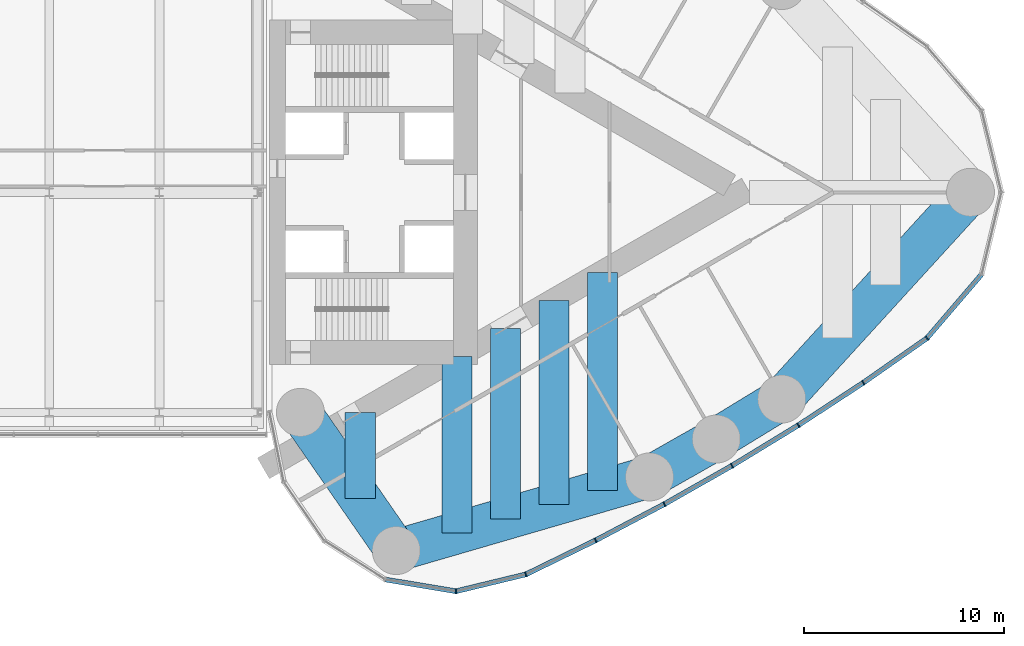
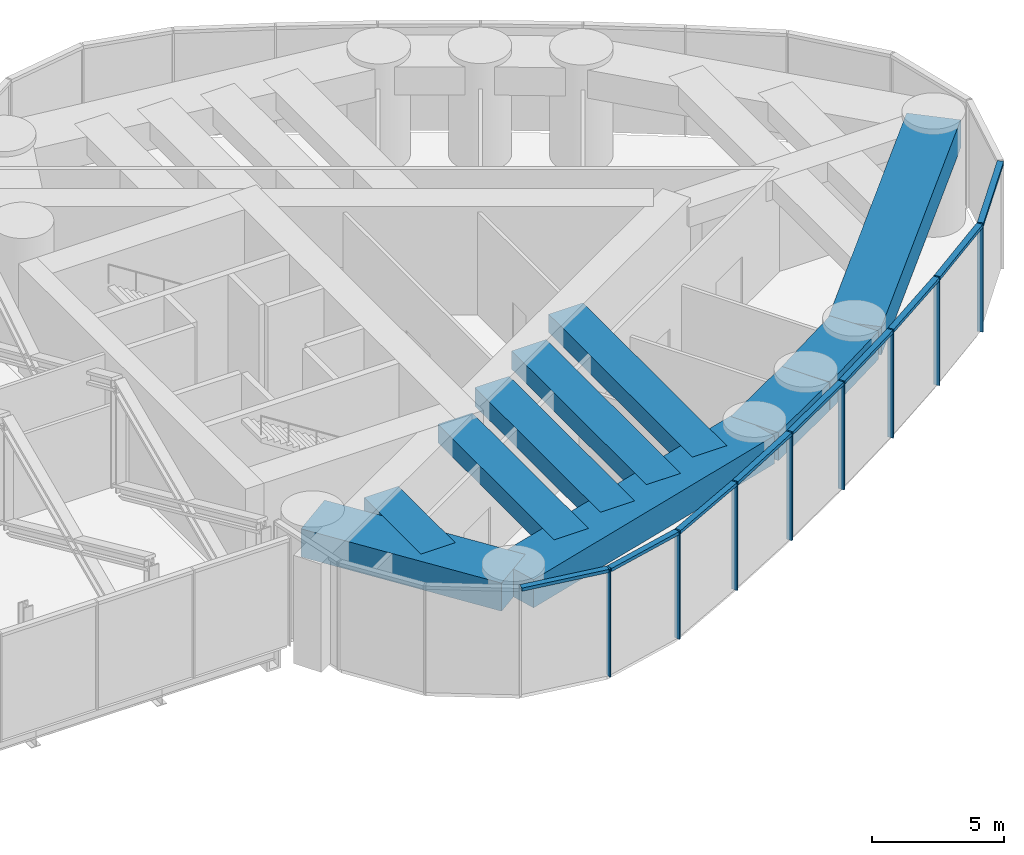
# One storey, part 9 of 19: 17 members, 10 beams, 1 element without a shape of its own.
"""IFC4 building model written with IfcOpenShell, lengths in metres."""

import ifcopenshell
import ifcopenshell.guid

model = None  # the IFC model being written
_history = None  # IfcOwnerHistory: only IFC2X3 demands one
_inside = {}  # id of a spatial element -> (the spatial element, [elements in it])
_under = {}  # id of a project, library or spatial element -> (it, [spatial elements below it])
_declared = {}  # id of a project -> (the project, [libraries it declares])
_typed = {}  # id of a type object -> (the type object, [elements of that type])
_made_of = {}  # id of a material, layer set ... -> (it, [elements and type objects made of it])


def new_model(schema):
    """Start an empty IFC model of exactly this schema.

    Asked for "IFC4X3", IfcOpenShell would pick the latest addendum, in which some entities
    have other attributes; the version numbers below select the first issue.
    IFC2X3 requires an IfcOwnerHistory on every rooted entity: one is made here for all.
    """
    global model, _history
    if schema == "IFC4X3":
        model = ifcopenshell.file(schema_version=(4, 3, 0, 0))
    else:
        model = ifcopenshell.file(schema=schema)
    _inside.clear()
    _under.clear()
    _declared.clear()
    _typed.clear()
    _made_of.clear()
    _history = None
    if model.schema == "IFC2X3":
        org = make("IfcOrganization", Name="unknown")
        user = make(
            "IfcPersonAndOrganization",
            ThePerson=make("IfcPerson", FamilyName="unknown"),
            TheOrganization=org,
        )
        app = make(
            "IfcApplication",
            ApplicationDeveloper=org,
            Version="unknown",
            ApplicationFullName="unknown",
            ApplicationIdentifier="unknown",
        )
        _history = make(
            "IfcOwnerHistory",
            OwningUser=user,
            OwningApplication=app,
            ChangeAction="ADDED",
            CreationDate=0,
        )
    return model


def make(cls, **values):
    """One entity of the class cls with the attributes given. An attribute that is None is left unset."""
    return model.create_entity(
        cls, **{name: value for name, value in values.items() if value is not None}
    )


def rooted(cls, **values):
    """An entity with a GlobalId (a new one), such as an element, a storey or a relation."""
    return make(cls, GlobalId=ifcopenshell.guid.new(), OwnerHistory=_history, **values)


def si_unit(unit_type, name, prefix=None):
    """IfcSIUnit, for example si_unit("LENGTHUNIT", "METRE", prefix="MILLI")."""
    return make("IfcSIUnit", UnitType=unit_type, Prefix=prefix, Name=name)


def assignment(units):
    """IfcUnitAssignment: the units of a project."""
    return None if units is None else make("IfcUnitAssignment", Units=units)


def point(xyz):
    """IfcCartesianPoint."""
    return None if xyz is None else make("IfcCartesianPoint", Coordinates=xyz)


def direction(xyz):
    """IfcDirection."""
    return None if xyz is None else make("IfcDirection", DirectionRatios=xyz)


def frame(location, z_axis=None, x_axis=None):
    """IfcAxis2Placement3D, a coordinate frame: its origin and axes. An axis left out is left unset."""
    return make(
        "IfcAxis2Placement3D",
        Location=point(location),
        Axis=direction(z_axis),
        RefDirection=direction(x_axis),
    )


def frame_2d(location, x_axis=None):
    """IfcAxis2Placement2D, a coordinate frame in the plane: its origin and x axis."""
    return make(
        "IfcAxis2Placement2D", Location=point(location), RefDirection=direction(x_axis)
    )


def origin():
    """The frame at (0, 0, 0) with its axes left unset."""
    return frame((0.0, 0.0, 0.0))


def origin_2d():
    """The frame at (0, 0) in the plane with its x axis left unset."""
    return frame_2d((0.0, 0.0))


def place(relative_to, where):
    """IfcLocalPlacement: puts the frame where relative to a parent placement (None: the world)."""
    return make(
        "IfcLocalPlacement", PlacementRelTo=relative_to, RelativePlacement=where
    )


def context(
    kind, dimensions, precision=None, world=None, true_north=None, identifier=None
):
    """IfcGeometricRepresentationContext, for example the 3D "Model" context."""
    return make(
        "IfcGeometricRepresentationContext",
        ContextIdentifier=identifier,
        ContextType=kind,
        CoordinateSpaceDimension=dimensions,
        Precision=precision,
        WorldCoordinateSystem=world,
        TrueNorth=true_north,
    )


def subcontext(parent, identifier, kind, view, scale=None):
    """IfcGeometricRepresentationSubContext, for example "Body" below "Model"."""
    return make(
        "IfcGeometricRepresentationSubContext",
        ContextIdentifier=identifier,
        ContextType=kind,
        ParentContext=parent,
        TargetScale=scale,
        TargetView=view,
    )


def project(units=None, contexts=None):
    """IfcProject with its units and contexts."""
    return rooted(
        "IfcProject",
        Name="project",
        RepresentationContexts=contexts,
        UnitsInContext=assignment(units),
    )


def spatial(cls, under=None, at=None, **own):
    """A site, building, storey or space (cls), placed at a placement, below another one or the project."""
    s = rooted(cls, ObjectPlacement=at, **own)
    if under is not None:
        _under.setdefault(under.id(), (under, []))[1].append(s)
    return s


def profile(cls, at=None, kind="AREA", **sizes):
    """A parametric profile (cls). Its sizes go by their IFC names, for example OverallWidth=200.0."""
    return make(cls, ProfileType=kind, Position=at, **sizes)


def rectangle(**sizes):
    """IfcRectangleProfileDef."""
    return profile("IfcRectangleProfileDef", **sizes)


def extrude(swept, where, along, depth):
    """IfcExtrudedAreaSolid: the profile swept, set in the frame where, extruded along a direction by depth."""
    return make(
        "IfcExtrudedAreaSolid",
        SweptArea=swept,
        Position=where,
        ExtrudedDirection=direction(along),
        Depth=depth,
    )


def shape(context_of_items, identifier, shape_type, items):
    """IfcShapeRepresentation: the items that make up one representation, for example the "Body"."""
    return make(
        "IfcShapeRepresentation",
        ContextOfItems=context_of_items,
        RepresentationIdentifier=identifier,
        RepresentationType=shape_type,
        Items=items,
    )


def material(Name=None, Category=None):
    """IfcMaterial."""
    return make("IfcMaterial", Name=Name, Category=Category)


def material_profile(
    of_material, cross_section, Name=None, Category=None, Priority=None
):
    """IfcMaterialProfile: a cross section and its material."""
    return make(
        "IfcMaterialProfile",
        Name=Name,
        Material=of_material,
        Profile=cross_section,
        Priority=Priority,
        Category=Category,
    )


def profile_set(profiles, Name=None, composite=None):
    """IfcMaterialProfileSet."""
    return make(
        "IfcMaterialProfileSet",
        Name=Name,
        MaterialProfiles=profiles,
        CompositeProfile=composite,
    )


def made_of(thing, what):
    """Note that an element or type object is made of a material, layer set ...; save() writes the relation."""
    if what is not None:
        _made_of.setdefault(what.id(), (what, []))[1].append(thing)
    return thing


def type_object(cls, material=None, **own):
    """A type object (cls), such as IfcWallType, which elements share."""
    return made_of(rooted(cls, **own), material)


def element(
    cls,
    number,
    at=None,
    inside=None,
    cuts=None,
    type_object=None,
    material=None,
    context=None,
    identifier="Body",
    shape_type=None,
    held_by="IfcProductDefinitionShape",
    body=None,
    shapes=None,
    **own,
):
    """One element of the class cls, such as IfcWall. Its Tag is "e" and its number.

    at: its placement. inside: the storey or other place that contains it. cuts: it is an
    opening in that element (IfcRelVoidsElement). A single representation is given by context,
    identifier, shape_type and body (its items); several are given by shapes. held_by: the class
    of the entity that holds the representations. save() writes the other relations.
    """
    e = rooted(cls, Tag="e%d" % number, ObjectPlacement=at, **own)
    if body is not None:
        shapes = [shape(context, identifier, shape_type, body)]
    if shapes is not None:
        e.Representation = make(held_by, Representations=shapes)
    if inside is not None:
        _inside.setdefault(inside.id(), (inside, []))[1].append(e)
    if cuts is not None:
        rooted(
            "IfcRelVoidsElement", RelatingBuildingElement=cuts, RelatedOpeningElement=e
        )
    if type_object is not None:
        _typed.setdefault(type_object.id(), (type_object, []))[1].append(e)
    return made_of(e, material)


def aggregate(whole, parts):
    """IfcRelAggregates: a whole, such as a stair, and the parts it consists of."""
    return rooted("IfcRelAggregates", RelatingObject=whole, RelatedObjects=parts)


def save(model, path):
    """Write the relations noted so far, then the file.

    IfcRelAggregates (storeys below a building ...), IfcRelContainedInSpatialStructure (elements
    in a storey), IfcRelDefinesByType, IfcRelAssociatesMaterial and IfcRelDeclares: one each for
    every whole, place, type object, material and project.
    """
    for whole, parts in _under.values():
        aggregate(whole, parts)
    for where, things in _inside.values():
        rooted(
            "IfcRelContainedInSpatialStructure",
            RelatedElements=things,
            RelatingStructure=where,
        )
    for kind, things in _typed.values():
        rooted("IfcRelDefinesByType", RelatedObjects=things, RelatingType=kind)
    for what, things in _made_of.values():
        rooted("IfcRelAssociatesMaterial", RelatedObjects=things, RelatingMaterial=what)
    for by, libraries in _declared.values():
        rooted("IfcRelDeclares", RelatingContext=by, RelatedDefinitions=libraries)
    model.write(path)


model = new_model("IFC4")

# Units and contexts
model_context = context("Model", 3, precision=1e-05, world=origin(), true_north=direction((0.0, 1.0)))
body_context = subcontext(model_context, "Body", "Model", "MODEL_VIEW")
ifc_project = project(units=[si_unit("LENGTHUNIT", "METRE"), si_unit("AREAUNIT", "SQUARE_METRE"), si_unit("VOLUMEUNIT", "CUBIC_METRE"), si_unit("PLANEANGLEUNIT", "RADIAN"), si_unit("MASSUNIT", "GRAM", prefix="KILO")], contexts=[model_context])

# Site, building, storey
site_placement = place(None, origin())
site = spatial("IfcSite", under=ifc_project, at=site_placement, CompositionType="ELEMENT")
building_placement = place(site_placement, origin())
building = spatial("IfcBuilding", under=site, at=building_placement, Name="Lancet Gate Hotel", CompositionType="ELEMENT")
storey_placement = place(building_placement, frame((0.0, 0.0, 263.300048828125)))
storey = spatial("IfcBuildingStorey", under=building, at=storey_placement, Name="L69", CompositionType="ELEMENT", Elevation=263.300048828125)

# Curtain wall, members
ifc_material_1 = material(Name="Aluminium curtain wall", Category="aluminium")
curtain_wall_type = type_object("IfcCurtainWallType", Name="Lantern crown glazing", PredefinedType="USERDEFINED", material=ifc_material_1)
curtain_wall_placement = place(storey_placement, origin())
curtain_wall = element("IfcCurtainWall", 1, at=curtain_wall_placement, inside=storey, type_object=curtain_wall_type, Name="T2 L69 curtain wall 1", ObjectType="LANTERN GLAZING", PredefinedType="USERDEFINED")
ifc_material_2 = material(Name="Aluminium mullion", Category="aluminium")
ifc_material_profile_1 = material_profile(ifc_material_2, rectangle(XDim=0.06494140625, YDim=0.25, at=origin_2d()), Name="MULLION 65x250")
ifc_profile_set_1 = profile_set([ifc_material_profile_1], Name="Aluminium mullion")
member_type_1 = type_object("IfcMemberType", Name="Aluminium mullion 65x250", PredefinedType="MULLION", material=ifc_profile_set_1)
member_1_placement = place(storey_placement, frame((36.826171875, -19.942138671875, 0.0), z_axis=(0.0, 0.0, 1.0), x_axis=(0.999342744911, 0.03625021647, 0.0)))
member_1 = element("IfcMember", 2, at=member_1_placement, type_object=member_type_1, Name="T2 L69 curtain wall 1 mullion 5", PredefinedType="MULLION", context=body_context, shape_type="SweptSolid", body=[
    extrude(rectangle(XDim=0.06494140625, YDim=0.25, at=origin_2d()), origin(), (0.0, 0.0, 1.0), 5.0),
])
member_2_placement = place(storey_placement, frame((40.3173828125, -19.098388671875, 0.0), z_axis=(0.0, 0.0, 1.0), x_axis=(0.939483740419, 0.342593493061, 0.0)))
member_2 = element("IfcMember", 3, at=member_2_placement, type_object=member_type_1, Name="T2 L69 curtain wall 1 mullion 6", PredefinedType="MULLION", context=body_context, shape_type="SweptSolid", body=[
    extrude(rectangle(XDim=0.06494140625, YDim=0.25, at=origin_2d()), origin(), (0.0, 0.0, 1.0), 5.0),
])
member_3_placement = place(storey_placement, frame((43.80810546875, -17.396240234375, 0.0), z_axis=(0.0, 0.0, 1.0), x_axis=(0.891832977257, 0.452364831389, 0.0)))
member_3 = element("IfcMember", 4, at=member_3_placement, type_object=member_type_1, Name="T2 L69 curtain wall 1 mullion 7", PredefinedType="MULLION", context=body_context, shape_type="SweptSolid", body=[
    extrude(rectangle(XDim=0.06494140625, YDim=0.25, at=origin_2d()), origin(), (0.0, 0.0, 1.0), 5.0),
])
member_4_placement = place(storey_placement, frame((47.24365234375, -15.585205078125, 0.0), z_axis=(0.0, 0.0, 1.0), x_axis=(0.877194589488, 0.480135035352, 0.0)))
member_4 = element("IfcMember", 5, at=member_4_placement, type_object=member_type_1, Name="T2 L69 curtain wall 1 mullion 8", PredefinedType="MULLION", context=body_context, shape_type="SweptSolid", body=[
    extrude(rectangle(XDim=0.06494140625, YDim=0.25, at=origin_2d()), origin(), (0.0, 0.0, 1.0), 5.0),
])
member_5_placement = place(storey_placement, frame((50.62060546875, -13.667236328125, 0.0), z_axis=(0.0, 0.0, 1.0), x_axis=(0.861691755738, 0.507432082247, 0.0)))
member_5 = element("IfcMember", 6, at=member_5_placement, type_object=member_type_1, Name="T2 L69 curtain wall 1 mullion 9", PredefinedType="MULLION", context=body_context, shape_type="SweptSolid", body=[
    extrude(rectangle(XDim=0.06494140625, YDim=0.25, at=origin_2d()), origin(), (0.0, 0.0, 1.0), 5.0),
])
member_6_placement = place(storey_placement, frame((53.935791015625, -11.644287109375, 0.0), z_axis=(0.0, 0.0, 1.0), x_axis=(0.845339753513, 0.534229071777, 0.0)))
member_6 = element("IfcMember", 7, at=member_6_placement, type_object=member_type_1, Name="T2 L69 curtain wall 1 mullion 10", PredefinedType="MULLION", context=body_context, shape_type="SweptSolid", body=[
    extrude(rectangle(XDim=0.06494140625, YDim=0.25, at=origin_2d()), origin(), (0.0, 0.0, 1.0), 5.0),
])
member_7_placement = place(storey_placement, frame((57.185791015625, -9.518310546875, 0.0), z_axis=(0.0, 0.0, 1.0), x_axis=(0.828154697184, 0.560499596371, 0.0)))
member_7 = element("IfcMember", 8, at=member_7_placement, type_object=member_type_1, Name="T2 L69 curtain wall 1 mullion 11", PredefinedType="MULLION", context=body_context, shape_type="SweptSolid", body=[
    extrude(rectangle(XDim=0.06494140625, YDim=0.25, at=origin_2d()), origin(), (0.0, 0.0, 1.0), 5.0),
])
member_8_placement = place(storey_placement, frame((60.367431640625, -7.291259765625, 0.0), z_axis=(0.0, 0.0, 1.0), x_axis=(0.737323173512, 0.675540182226, 0.0)))
member_8 = element("IfcMember", 9, at=member_8_placement, type_object=member_type_1, Name="T2 L69 curtain wall 1 mullion 12", PredefinedType="MULLION", context=body_context, shape_type="SweptSolid", body=[
    extrude(rectangle(XDim=0.06494140625, YDim=0.25, at=origin_2d()), origin(), (0.0, 0.0, 1.0), 5.0),
])
ifc_material_3 = material(Name="Aluminium transom", Category="aluminium")
ifc_material_profile_2 = material_profile(ifc_material_3, rectangle(XDim=0.25, YDim=0.14990234375, at=origin_2d()), Name="TRANSOM 250x150")
ifc_profile_set_2 = profile_set([ifc_material_profile_2], Name="Aluminium transom")
member_type_2 = type_object("IfcMemberType", Name="Aluminium transom 250x150", PredefinedType="USERDEFINED", material=ifc_profile_set_2)
member_9_placement = place(storey_placement, frame((33.315185546875, -19.35888671875, 4.925048828125), z_axis=(0.986483584545, -0.163860115412, 0.0), x_axis=(0.163860115412, 0.986483584545, 0.0)))
member_9 = element("IfcMember", 10, at=member_9_placement, type_object=member_type_2, Name="T2 L69 curtain wall 1 transom 4", ObjectType="TRANSOM", PredefinedType="USERDEFINED", context=body_context, shape_type="SweptSolid", body=[
    extrude(rectangle(XDim=0.25, YDim=0.14990234375, at=origin_2d()), origin(), (0.0, 0.0, 1.0), 3.526611328125),
])
member_10_placement = place(storey_placement, frame((36.85791015625, -19.9345703125, 4.925048828125), z_axis=(0.972002653858, 0.234969872307, 0.0), x_axis=(-0.234969872307, 0.972002653858, 0.0)))
member_10 = element("IfcMember", 11, at=member_10_placement, type_object=member_type_2, Name="T2 L69 curtain wall 1 transom 5", ObjectType="TRANSOM", PredefinedType="USERDEFINED", context=body_context, shape_type="SweptSolid", body=[
    extrude(rectangle(XDim=0.25, YDim=0.14990234375, at=origin_2d()), origin(), (0.0, 0.0, 1.0), 3.5263671875),
])
member_11_placement = place(storey_placement, frame((40.346435546875, -19.084228515625, 4.925048828125), z_axis=(0.898820051991, 0.438317823206, 0.0), x_axis=(-0.438317823206, 0.898820051991, 0.0)))
member_11 = element("IfcMember", 12, at=member_11_placement, type_object=member_type_2, Name="T2 L69 curtain wall 1 transom 6", ObjectType="TRANSOM", PredefinedType="USERDEFINED", context=body_context, shape_type="SweptSolid", body=[
    extrude(rectangle(XDim=0.25, YDim=0.14990234375, at=origin_2d()), origin(), (0.0, 0.0, 1.0), 3.81884765625),
])
member_12_placement = place(storey_placement, frame((43.836669921875, -17.381103515625, 4.925048828125), z_axis=(0.884618491031, 0.466315478325, 0.0), x_axis=(-0.466315478325, 0.884618491031, 0.0)))
member_12 = element("IfcMember", 13, at=member_12_placement, type_object=member_type_2, Name="T2 L69 curtain wall 1 transom 7", ObjectType="TRANSOM", PredefinedType="USERDEFINED", context=body_context, shape_type="SweptSolid", body=[
    extrude(rectangle(XDim=0.25, YDim=0.14990234375, at=origin_2d()), origin(), (0.0, 0.0, 1.0), 3.81884765625),
])
member_13_placement = place(storey_placement, frame((47.271728515625, -15.569091796875, 4.925048828125), z_axis=(0.869562011924, 0.493823761496, 0.0), x_axis=(-0.493823761496, 0.869562011924, 0.0)))
member_13 = element("IfcMember", 14, at=member_13_placement, type_object=member_type_2, Name="T2 L69 curtain wall 1 transom 8", ObjectType="TRANSOM", PredefinedType="USERDEFINED", context=body_context, shape_type="SweptSolid", body=[
    extrude(rectangle(XDim=0.25, YDim=0.14990234375, at=origin_2d()), origin(), (0.0, 0.0, 1.0), 3.818603515625),
])
member_14_placement = place(storey_placement, frame((50.648193359375, -13.650390625, 4.925048828125), z_axis=(0.853638798527, 0.520865435261, 0.0), x_axis=(-0.520865435261, 0.853638798527, 0.0)))
member_14 = element("IfcMember", 15, at=member_14_placement, type_object=member_type_2, Name="T2 L69 curtain wall 1 transom 9", ObjectType="TRANSOM", PredefinedType="USERDEFINED", context=body_context, shape_type="SweptSolid", body=[
    extrude(rectangle(XDim=0.25, YDim=0.14990234375, at=origin_2d()), origin(), (0.0, 0.0, 1.0), 3.818603515625),
])
member_15_placement = place(storey_placement, frame((53.962890625, -11.62646484375, 4.925048828125), z_axis=(0.836858089593, 0.547419891749, 0.0), x_axis=(-0.547419891749, 0.836858089593, 0.0)))
member_15 = element("IfcMember", 16, at=member_15_placement, type_object=member_type_2, Name="T2 L69 curtain wall 1 transom 10", ObjectType="TRANSOM", PredefinedType="USERDEFINED", context=body_context, shape_type="SweptSolid", body=[
    extrude(rectangle(XDim=0.25, YDim=0.14990234375, at=origin_2d()), origin(), (0.0, 0.0, 1.0), 3.818603515625),
])
member_16_placement = place(storey_placement, frame((57.21240234375, -9.499755859375, 4.925048828125), z_axis=(0.819255948852, 0.573428016642, 0.0), x_axis=(-0.573428016642, 0.819255948852, 0.0)))
member_16 = element("IfcMember", 17, at=member_16_placement, type_object=member_type_2, Name="T2 L69 curtain wall 1 transom 11", ObjectType="TRANSOM", PredefinedType="USERDEFINED", context=body_context, shape_type="SweptSolid", body=[
    extrude(rectangle(XDim=0.25, YDim=0.14990234375, at=origin_2d()), origin(), (0.0, 0.0, 1.0), 3.818603515625),
])
member_17_placement = place(storey_placement, frame((60.388427734375, -7.2666015625, 4.925048828125), z_axis=(0.650592500186, 0.759427019997, 0.0), x_axis=(-0.759427019997, 0.650592500186, 0.0)))
member_17 = element("IfcMember", 18, at=member_17_placement, type_object=member_type_2, Name="T2 L69 curtain wall 1 transom 12", ObjectType="TRANSOM", PredefinedType="USERDEFINED", context=body_context, shape_type="SweptSolid", body=[
    extrude(rectangle(XDim=0.25, YDim=0.14990234375, at=origin_2d()), origin(), (0.0, 0.0, 1.0), 4.1455078125),
])
aggregate(curtain_wall, [member_1, member_2, member_3, member_4, member_5, member_6, member_7, member_8, member_9, member_10, member_11, member_12, member_13, member_14, member_15, member_16, member_17])

# Beams
ifc_material_4 = material(Name="Concrete C50/60", Category="concrete")
ifc_material_profile_3 = material_profile(ifc_material_4, rectangle(XDim=2.10009765625, YDim=1.300048828125, at=origin_2d()), Name="RC 2100x1300")
ifc_profile_set_3 = profile_set([ifc_material_profile_3], Name="Concrete C50/60")
beam_type_1 = type_object("IfcBeamType", Name="Edge beam RC 2100x1300", PredefinedType="SPANDREL", material=ifc_profile_set_3)
beam_1_placement = place(storey_placement, frame((33.837158203125, -17.906005859375, 4.099853515625), z_axis=(0.960258384252, 0.279112585659, 0.0), x_axis=(-0.279112585659, 0.960258384252, 0.0)))
element("IfcBeam", 19, at=beam_1_placement, inside=storey, type_object=beam_type_1, Name="T2 edge beam EB1 L69", PredefinedType="SPANDREL", context=body_context, shape_type="SweptSolid", body=[
    extrude(rectangle(XDim=2.10009765625, YDim=1.300048828125, at=origin_2d()), origin(), (0.0, 0.0, 1.0), 13.18603515625),
])
beam_2_placement = place(storey_placement, frame((46.499267578125, -14.2255859375, 4.099853515625), z_axis=(0.869560321562, 0.493826738001, 0.0), x_axis=(-0.493826738001, 0.869560321562, 0.0)))
element("IfcBeam", 20, at=beam_2_placement, inside=storey, type_object=beam_type_1, Name="T2 edge beam EB1 L69", PredefinedType="SPANDREL", context=body_context, shape_type="SweptSolid", body=[
    extrude(rectangle(XDim=2.10009765625, YDim=1.300048828125, at=origin_2d()), origin(), (0.0, 0.0, 1.0), 3.8349609375),
])
beam_3_placement = place(storey_placement, frame((49.833984375, -12.331787109375, 4.099853515625), z_axis=(0.853604257265, 0.520922040212, 0.0), x_axis=(-0.520922040212, 0.853604257265, 0.0)))
element("IfcBeam", 21, at=beam_3_placement, inside=storey, type_object=beam_type_1, Name="T2 edge beam EB1 L69", PredefinedType="SPANDREL", context=body_context, shape_type="SweptSolid", body=[
    extrude(rectangle(XDim=2.10009765625, YDim=1.300048828125, at=origin_2d()), origin(), (0.0, 0.0, 1.0), 3.835205078125),
])
beam_4_placement = place(storey_placement, frame((53.107666015625, -10.333984375, 4.099853515625), z_axis=(0.674209372947, 0.738540263919, 0.0), x_axis=(-0.738540263919, 0.674209372947, 0.0)))
element("IfcBeam", 22, at=beam_4_placement, inside=storey, type_object=beam_type_1, Name="T2 edge beam EB1 L69", PredefinedType="SPANDREL", context=body_context, shape_type="SweptSolid", body=[
    extrude(rectangle(XDim=2.10009765625, YDim=1.300048828125, at=origin_2d()), origin(), (0.0, 0.0, 1.0), 13.992431640625),
])
beam_5_placement = place(storey_placement, frame((33.837158203125, -17.906005859375, 4.099853515625), z_axis=(-0.569694852599, 0.821856298219, 0.0), x_axis=(-0.821856298219, -0.569694852599, 0.0)))
element("IfcBeam", 23, at=beam_5_placement, inside=storey, type_object=beam_type_1, Name="T2 edge beam EB1 L69", PredefinedType="SPANDREL", context=body_context, shape_type="SweptSolid", body=[
    extrude(rectangle(XDim=2.10009765625, YDim=1.300048828125, at=origin_2d()), origin(), (0.0, 0.0, 1.0), 8.40283203125),
])
ifc_material_5 = material(Name="Concrete C50/60", Category="concrete")
ifc_material_profile_4 = material_profile(ifc_material_5, rectangle(XDim=1.5, YDim=0.85009765625, at=origin_2d()), Name="RC 1500x850")
ifc_profile_set_4 = profile_set([ifc_material_profile_4], Name="Concrete C50/60")
beam_type_2 = type_object("IfcBeamType", Name="Floor beam RC 1500x850", PredefinedType="BEAM", material=ifc_profile_set_4)
beam_6_placement = place(storey_placement, frame((32.04052734375, -15.31396484375, 4.324951171875), z_axis=(0.0, 1.0, 0.0), x_axis=(-1.0, 0.0, 0.0)))
element("IfcBeam", 24, at=beam_6_placement, inside=storey, type_object=beam_type_2, Name="T2 floor beam F01S L69", PredefinedType="BEAM", context=body_context, shape_type="SweptSolid", body=[
    extrude(rectangle(XDim=1.5, YDim=0.85009765625, at=origin_2d()), origin(), (0.0, 0.0, 1.0), 4.30859375),
])
beam_7_placement = place(storey_placement, frame((36.880859375, -17.021240234375, 4.324951171875), z_axis=(0.0, 1.0, 0.0), x_axis=(-1.0, 0.0, 0.0)))
element("IfcBeam", 25, at=beam_7_placement, inside=storey, type_object=beam_type_2, Name="T2 floor beam F03S L69", PredefinedType="BEAM", context=body_context, shape_type="SweptSolid", body=[
    extrude(rectangle(XDim=1.5, YDim=0.85009765625, at=origin_2d()), origin(), (0.0, 0.0, 1.0), 8.810546875),
])
beam_8_placement = place(storey_placement, frame((39.301025390625, -16.31787109375, 4.324951171875), z_axis=(0.0, 1.0, 0.0), x_axis=(-1.0, 0.0, 0.0)))
element("IfcBeam", 26, at=beam_8_placement, inside=storey, type_object=beam_type_2, Name="T2 floor beam F05S L69", PredefinedType="BEAM", context=body_context, shape_type="SweptSolid", body=[
    extrude(rectangle(XDim=1.5, YDim=0.85009765625, at=origin_2d()), origin(), (0.0, 0.0, 1.0), 9.50439453125),
])
beam_9_placement = place(storey_placement, frame((41.721435546875, -15.6142578125, 4.324951171875), z_axis=(0.0, 1.0, 0.0), x_axis=(-1.0, 0.0, 0.0)))
element("IfcBeam", 27, at=beam_9_placement, inside=storey, type_object=beam_type_2, Name="T2 floor beam F07S L69", PredefinedType="BEAM", context=body_context, shape_type="SweptSolid", body=[
    extrude(rectangle(XDim=1.5, YDim=0.85009765625, at=origin_2d()), origin(), (0.0, 0.0, 1.0), 10.1982421875),
])
beam_10_placement = place(storey_placement, frame((44.1416015625, -14.910888671875, 4.324951171875), z_axis=(0.0, 1.0, 0.0), x_axis=(-1.0, 0.0, 0.0)))
element("IfcBeam", 28, at=beam_10_placement, inside=storey, type_object=beam_type_2, Name="T2 floor beam F09S L69", PredefinedType="BEAM", context=body_context, shape_type="SweptSolid", body=[
    extrude(rectangle(XDim=1.5, YDim=0.85009765625, at=origin_2d()), origin(), (0.0, 0.0, 1.0), 10.89208984375),
])

save(model, "model.ifc")
